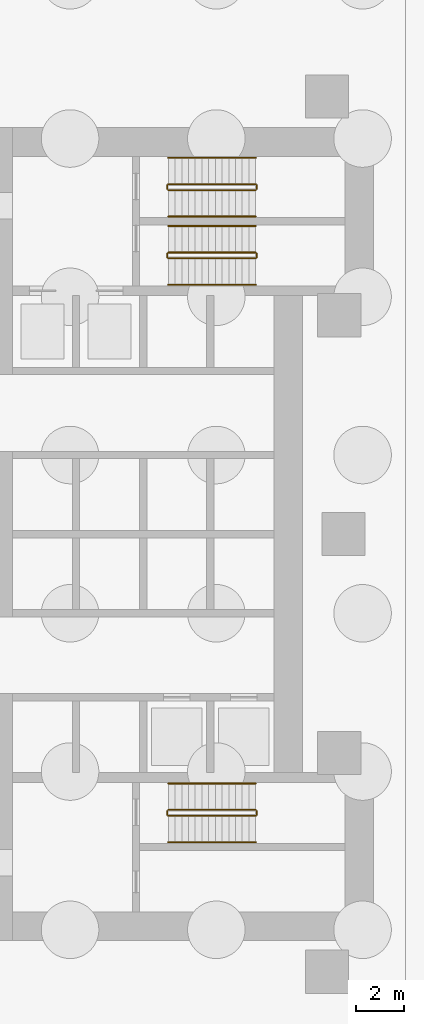
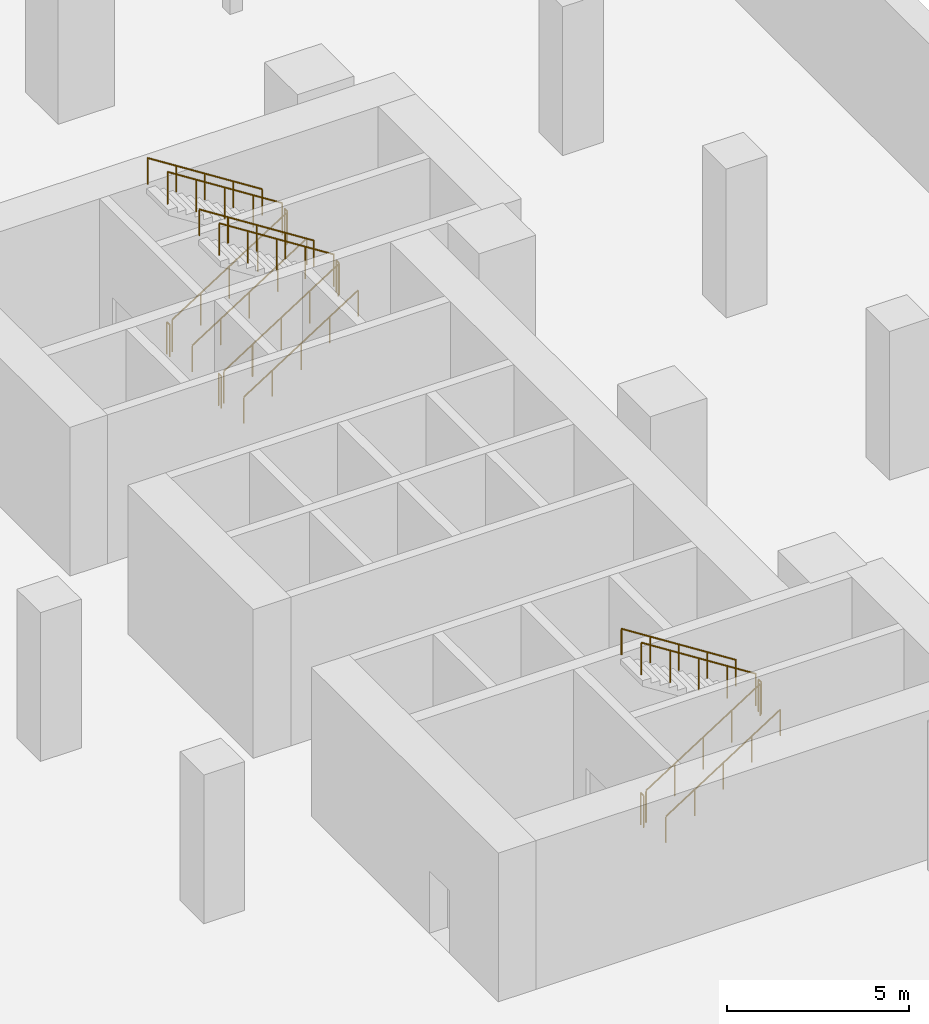
# One storey, part 10 of 11: 18 railings.
"""IFC4 building model written with IfcOpenShell, lengths in metres."""

from ifc_helpers import new_model, si_unit, direction, frame, origin, origin_2d, place, context, subcontext, project, spatial, circle, extrude, material, type_object, element, save


model = new_model("IFC4")

# Units and contexts
model_context = context("Model", 3, precision=1e-05, world=origin(), true_north=direction((0.0, 1.0)))
body_context = subcontext(model_context, "Body", "Model", "MODEL_VIEW")
ifc_project = project(units=[si_unit("LENGTHUNIT", "METRE"), si_unit("AREAUNIT", "SQUARE_METRE"), si_unit("VOLUMEUNIT", "CUBIC_METRE"), si_unit("PLANEANGLEUNIT", "RADIAN"), si_unit("MASSUNIT", "GRAM", prefix="KILO")], contexts=[model_context])

# Site, building, storey
site_placement = place(None, origin())
site = spatial("IfcSite", under=ifc_project, at=site_placement, CompositionType="ELEMENT")
building_placement = place(site_placement, origin())
building = spatial("IfcBuilding", under=site, at=building_placement, Name="Ostrand Prow Hotel Tower", CompositionType="ELEMENT")
storey_placement = place(building_placement, frame((0.0, 0.0, -10.0)))
storey = spatial("IfcBuildingStorey", under=building, at=storey_placement, Name="B2", CompositionType="ELEMENT", Elevation=-10.0)

# Railings
ifc_material_1 = material(Name="Painted steel", Category="steel")
railing_type_1 = type_object("IfcRailingType", Name="Stair guard 1100", PredefinedType="GUARDRAIL", material=ifc_material_1)
railing_1_placement = place(storey_placement, frame((57.199951171875, 11.5, 0.178466796875)))
element("IfcRailing", 1, at=railing_1_placement, inside=storey, type_object=railing_type_1, Name="B2 ST1A stair guard 1", PredefinedType="GUARDRAIL", context=body_context, shape_type="SweptSolid", body=[
    extrude(circle(Radius=0.02392578125, at=origin_2d()), frame((0.0, 0.0, 1.076171875), z_axis=(0.843127859045, 0.0, 0.537713132908), x_axis=(0.0, 1.0, 0.0)), (0.0, 0.0, 1.0), 4.3173828125),
    extrude(circle(Radius=0.02099609375, at=origin_2d()), origin(), (0.0, 0.0, 1.0), 1.052001953125),
    extrude(circle(Radius=0.02099609375, at=origin_2d()), frame((0.91015625, 0.0, 0.580322265625)), (0.0, 0.0, 1.0), 1.052001953125),
    extrude(circle(Radius=0.02099609375, at=origin_2d()), frame((1.820068359375, 0.0, 1.16064453125)), (0.0, 0.0, 1.0), 1.052001953125),
    extrude(circle(Radius=0.02099609375, at=origin_2d()), frame((2.72998046875, 0.0, 1.7412109375)), (0.0, 0.0, 1.0), 1.052001953125),
    extrude(circle(Radius=0.02099609375, at=origin_2d()), frame((3.64013671875, 0.0, 2.321533203125)), (0.0, 0.0, 1.0), 1.052001953125),
])
railing_2_placement = place(storey_placement, frame((60.889892578125, 11.550048828125, 2.5)))
element("IfcRailing", 2, at=railing_2_placement, inside=storey, type_object=railing_type_1, Name="B2 ST1A stair guard 2", PredefinedType="GUARDRAIL", context=body_context, shape_type="SweptSolid", body=[
    extrude(circle(Radius=0.02392578125, at=origin_2d()), frame((0.0, 0.0, 1.076171875), z_axis=(0.0, 1.0, 0.0), x_axis=(-1.0, 0.0, 0.0)), (0.0, 0.0, 1.0), 0.14990234375),
    extrude(circle(Radius=0.02099609375, at=origin_2d()), origin(), (0.0, 0.0, 1.0), 1.052001953125),
    extrude(circle(Radius=0.02099609375, at=origin_2d()), frame((0.0, 0.14990234375, 0.0)), (0.0, 0.0, 1.0), 1.052001953125),
])
railing_3_placement = place(storey_placement, frame((60.840087890625, 11.75, 2.678466796875)))
element("IfcRailing", 3, at=railing_3_placement, inside=storey, type_object=railing_type_1, Name="B2 ST1A stair guard 3", PredefinedType="GUARDRAIL", context=body_context, shape_type="SweptSolid", body=[
    extrude(circle(Radius=0.02392578125, at=origin_2d()), frame((0.0, 0.0, 1.076171875), z_axis=(-0.843127859045, 0.0, 0.537713132908), x_axis=(0.0, -1.0, 0.0)), (0.0, 0.0, 1.0), 4.3173828125),
    extrude(circle(Radius=0.02099609375, at=origin_2d()), origin(), (0.0, 0.0, 1.0), 1.052001953125),
    extrude(circle(Radius=0.02099609375, at=origin_2d()), frame((-0.91015625, 0.0, 0.580322265625)), (0.0, 0.0, 1.0), 1.052001953125),
    extrude(circle(Radius=0.02099609375, at=origin_2d()), frame((-1.820068359375, 0.0, 1.16064453125)), (0.0, 0.0, 1.0), 1.052001953125),
    extrude(circle(Radius=0.02099609375, at=origin_2d()), frame((-2.72998046875, 0.0, 1.7412109375)), (0.0, 0.0, 1.0), 1.052001953125),
    extrude(circle(Radius=0.02099609375, at=origin_2d()), frame((-3.64013671875, 0.0, 2.321533203125)), (0.0, 0.0, 1.0), 1.052001953125),
])
railing_4_placement = place(storey_placement, frame((57.14990234375, 11.550048828125, 0.0)))
element("IfcRailing", 4, at=railing_4_placement, inside=storey, type_object=railing_type_1, Name="B2 ST1A stair guard 4", PredefinedType="GUARDRAIL", context=body_context, shape_type="SweptSolid", body=[
    extrude(circle(Radius=0.02392578125, at=origin_2d()), frame((0.0, 0.0, 1.076171875), z_axis=(0.0, 1.0, 0.0), x_axis=(-1.0, 0.0, 0.0)), (0.0, 0.0, 1.0), 0.14990234375),
    extrude(circle(Radius=0.02099609375, at=origin_2d()), origin(), (0.0, 0.0, 1.0), 1.052001953125),
    extrude(circle(Radius=0.02099609375, at=origin_2d()), frame((0.0, 0.14990234375, 0.0)), (0.0, 0.0, 1.0), 1.052001953125),
])
railing_5_placement = place(storey_placement, frame((57.199951171875, 14.35009765625, 0.178466796875)))
element("IfcRailing", 5, at=railing_5_placement, inside=storey, type_object=railing_type_1, Name="B2 ST3A stair guard 1", PredefinedType="GUARDRAIL", context=body_context, shape_type="SweptSolid", body=[
    extrude(circle(Radius=0.02392578125, at=origin_2d()), frame((0.0, 0.0, 1.076171875), z_axis=(0.843127859045, 0.0, 0.537713132908), x_axis=(0.0, 1.0, 0.0)), (0.0, 0.0, 1.0), 4.3173828125),
    extrude(circle(Radius=0.02099609375, at=origin_2d()), origin(), (0.0, 0.0, 1.0), 1.052001953125),
    extrude(circle(Radius=0.02099609375, at=origin_2d()), frame((0.91015625, 0.0, 0.580322265625)), (0.0, 0.0, 1.0), 1.052001953125),
    extrude(circle(Radius=0.02099609375, at=origin_2d()), frame((1.820068359375, 0.0, 1.16064453125)), (0.0, 0.0, 1.0), 1.052001953125),
    extrude(circle(Radius=0.02099609375, at=origin_2d()), frame((2.72998046875, 0.0, 1.7412109375)), (0.0, 0.0, 1.0), 1.052001953125),
    extrude(circle(Radius=0.02099609375, at=origin_2d()), frame((3.64013671875, 0.0, 2.321533203125)), (0.0, 0.0, 1.0), 1.052001953125),
])
railing_6_placement = place(storey_placement, frame((60.889892578125, 14.39990234375, 2.5)))
element("IfcRailing", 6, at=railing_6_placement, inside=storey, type_object=railing_type_1, Name="B2 ST3A stair guard 2", PredefinedType="GUARDRAIL", context=body_context, shape_type="SweptSolid", body=[
    extrude(circle(Radius=0.02392578125, at=origin_2d()), frame((0.0, 0.0, 1.076171875), z_axis=(0.0, 1.0, 0.0), x_axis=(-1.0, 0.0, 0.0)), (0.0, 0.0, 1.0), 0.150146484375),
    extrude(circle(Radius=0.02099609375, at=origin_2d()), origin(), (0.0, 0.0, 1.0), 1.052001953125),
    extrude(circle(Radius=0.02099609375, at=origin_2d()), frame((0.0, 0.150146484375, 0.0)), (0.0, 0.0, 1.0), 1.052001953125),
])
railing_7_placement = place(storey_placement, frame((60.840087890625, 14.60009765625, 2.678466796875)))
element("IfcRailing", 7, at=railing_7_placement, inside=storey, type_object=railing_type_1, Name="B2 ST3A stair guard 3", PredefinedType="GUARDRAIL", context=body_context, shape_type="SweptSolid", body=[
    extrude(circle(Radius=0.02392578125, at=origin_2d()), frame((0.0, 0.0, 1.076171875), z_axis=(-0.843127859045, 0.0, 0.537713132908), x_axis=(0.0, -1.0, 0.0)), (0.0, 0.0, 1.0), 4.3173828125),
    extrude(circle(Radius=0.02099609375, at=origin_2d()), origin(), (0.0, 0.0, 1.0), 1.052001953125),
    extrude(circle(Radius=0.02099609375, at=origin_2d()), frame((-0.91015625, 0.0, 0.580322265625)), (0.0, 0.0, 1.0), 1.052001953125),
    extrude(circle(Radius=0.02099609375, at=origin_2d()), frame((-1.820068359375, 0.0, 1.16064453125)), (0.0, 0.0, 1.0), 1.052001953125),
    extrude(circle(Radius=0.02099609375, at=origin_2d()), frame((-2.72998046875, 0.0, 1.7412109375)), (0.0, 0.0, 1.0), 1.052001953125),
    extrude(circle(Radius=0.02099609375, at=origin_2d()), frame((-3.64013671875, 0.0, 2.321533203125)), (0.0, 0.0, 1.0), 1.052001953125),
])
railing_8_placement = place(storey_placement, frame((57.14990234375, 14.39990234375, 0.0)))
element("IfcRailing", 8, at=railing_8_placement, inside=storey, type_object=railing_type_1, Name="B2 ST3A stair guard 4", PredefinedType="GUARDRAIL", context=body_context, shape_type="SweptSolid", body=[
    extrude(circle(Radius=0.02392578125, at=origin_2d()), frame((0.0, 0.0, 1.076171875), z_axis=(0.0, 1.0, 0.0), x_axis=(-1.0, 0.0, 0.0)), (0.0, 0.0, 1.0), 0.150146484375),
    extrude(circle(Radius=0.02099609375, at=origin_2d()), origin(), (0.0, 0.0, 1.0), 1.052001953125),
    extrude(circle(Radius=0.02099609375, at=origin_2d()), frame((0.0, 0.150146484375, 0.0)), (0.0, 0.0, 1.0), 1.052001953125),
])
railing_9_placement = place(storey_placement, frame((57.199951171875, -11.75, 0.178466796875)))
element("IfcRailing", 9, at=railing_9_placement, inside=storey, type_object=railing_type_1, Name="B2 ST2A stair guard 1", PredefinedType="GUARDRAIL", context=body_context, shape_type="SweptSolid", body=[
    extrude(circle(Radius=0.02392578125, at=origin_2d()), frame((0.0, 0.0, 1.076171875), z_axis=(0.843127859045, 0.0, 0.537713132908), x_axis=(0.0, 1.0, 0.0)), (0.0, 0.0, 1.0), 4.3173828125),
    extrude(circle(Radius=0.02099609375, at=origin_2d()), origin(), (0.0, 0.0, 1.0), 1.052001953125),
    extrude(circle(Radius=0.02099609375, at=origin_2d()), frame((0.91015625, 0.0, 0.580322265625)), (0.0, 0.0, 1.0), 1.052001953125),
    extrude(circle(Radius=0.02099609375, at=origin_2d()), frame((1.820068359375, 0.0, 1.16064453125)), (0.0, 0.0, 1.0), 1.052001953125),
    extrude(circle(Radius=0.02099609375, at=origin_2d()), frame((2.72998046875, 0.0, 1.7412109375)), (0.0, 0.0, 1.0), 1.052001953125),
    extrude(circle(Radius=0.02099609375, at=origin_2d()), frame((3.64013671875, 0.0, 2.321533203125)), (0.0, 0.0, 1.0), 1.052001953125),
])
railing_10_placement = place(storey_placement, frame((60.889892578125, -11.699951171875, 2.5)))
element("IfcRailing", 10, at=railing_10_placement, inside=storey, type_object=railing_type_1, Name="B2 ST2A stair guard 2", PredefinedType="GUARDRAIL", context=body_context, shape_type="SweptSolid", body=[
    extrude(circle(Radius=0.02392578125, at=origin_2d()), frame((0.0, 0.0, 1.076171875), z_axis=(0.0, 1.0, 0.0), x_axis=(-1.0, 0.0, 0.0)), (0.0, 0.0, 1.0), 0.14990234375),
    extrude(circle(Radius=0.02099609375, at=origin_2d()), origin(), (0.0, 0.0, 1.0), 1.052001953125),
    extrude(circle(Radius=0.02099609375, at=origin_2d()), frame((0.0, 0.14990234375, 0.0)), (0.0, 0.0, 1.0), 1.052001953125),
])
railing_11_placement = place(storey_placement, frame((60.840087890625, -11.5, 2.678466796875)))
element("IfcRailing", 11, at=railing_11_placement, inside=storey, type_object=railing_type_1, Name="B2 ST2A stair guard 3", PredefinedType="GUARDRAIL", context=body_context, shape_type="SweptSolid", body=[
    extrude(circle(Radius=0.02392578125, at=origin_2d()), frame((0.0, 0.0, 1.076171875), z_axis=(-0.843127859045, 0.0, 0.537713132908), x_axis=(0.0, -1.0, 0.0)), (0.0, 0.0, 1.0), 4.3173828125),
    extrude(circle(Radius=0.02099609375, at=origin_2d()), origin(), (0.0, 0.0, 1.0), 1.052001953125),
    extrude(circle(Radius=0.02099609375, at=origin_2d()), frame((-0.91015625, 0.0, 0.580322265625)), (0.0, 0.0, 1.0), 1.052001953125),
    extrude(circle(Radius=0.02099609375, at=origin_2d()), frame((-1.820068359375, 0.0, 1.16064453125)), (0.0, 0.0, 1.0), 1.052001953125),
    extrude(circle(Radius=0.02099609375, at=origin_2d()), frame((-2.72998046875, 0.0, 1.7412109375)), (0.0, 0.0, 1.0), 1.052001953125),
    extrude(circle(Radius=0.02099609375, at=origin_2d()), frame((-3.64013671875, 0.0, 2.321533203125)), (0.0, 0.0, 1.0), 1.052001953125),
])
railing_12_placement = place(storey_placement, frame((57.14990234375, -11.699951171875, 0.0)))
element("IfcRailing", 12, at=railing_12_placement, inside=storey, type_object=railing_type_1, Name="B2 ST2A stair guard 4", PredefinedType="GUARDRAIL", context=body_context, shape_type="SweptSolid", body=[
    extrude(circle(Radius=0.02392578125, at=origin_2d()), frame((0.0, 0.0, 1.076171875), z_axis=(0.0, 1.0, 0.0), x_axis=(-1.0, 0.0, 0.0)), (0.0, 0.0, 1.0), 0.14990234375),
    extrude(circle(Radius=0.02099609375, at=origin_2d()), origin(), (0.0, 0.0, 1.0), 1.052001953125),
    extrude(circle(Radius=0.02099609375, at=origin_2d()), frame((0.0, 0.14990234375, 0.0)), (0.0, 0.0, 1.0), 1.052001953125),
])
ifc_material_2 = material(Name="Stainless steel", Category="steel")
railing_type_2 = type_object("IfcRailingType", Name="Stair handrail 900", PredefinedType="HANDRAIL", material=ifc_material_2)
railing_13_placement = place(storey_placement, frame((57.199951171875, 10.39990234375, 0.178466796875)))
element("IfcRailing", 13, at=railing_13_placement, inside=storey, type_object=railing_type_2, Name="B2 ST1A stair handrail 1", PredefinedType="HANDRAIL", context=body_context, shape_type="SweptSolid", body=[
    extrude(circle(Radius=0.02392578125, at=origin_2d()), frame((0.0, 0.0, 0.8759765625), z_axis=(0.843127859045, 0.0, 0.537713132908), x_axis=(0.0, 1.0, 0.0)), (0.0, 0.0, 1.0), 4.3173828125),
    extrude(circle(Radius=0.02099609375, at=origin_2d()), origin(), (0.0, 0.0, 1.0), 0.851806640625),
    extrude(circle(Radius=0.02099609375, at=origin_2d()), frame((0.91015625, 0.0, 0.580322265625)), (0.0, 0.0, 1.0), 0.851806640625),
    extrude(circle(Radius=0.02099609375, at=origin_2d()), frame((1.820068359375, 0.0, 1.16064453125)), (0.0, 0.0, 1.0), 0.851806640625),
    extrude(circle(Radius=0.02099609375, at=origin_2d()), frame((2.72998046875, 0.0, 1.7412109375)), (0.0, 0.0, 1.0), 0.851806640625),
    extrude(circle(Radius=0.02099609375, at=origin_2d()), frame((3.64013671875, 0.0, 2.321533203125)), (0.0, 0.0, 1.0), 0.851806640625),
])
railing_14_placement = place(storey_placement, frame((60.840087890625, 12.85009765625, 2.678466796875)))
element("IfcRailing", 14, at=railing_14_placement, inside=storey, type_object=railing_type_2, Name="B2 ST1A stair handrail 2", PredefinedType="HANDRAIL", context=body_context, shape_type="SweptSolid", body=[
    extrude(circle(Radius=0.02392578125, at=origin_2d()), frame((0.0, 0.0, 0.8759765625), z_axis=(-0.843127859045, 0.0, 0.537713132908), x_axis=(0.0, -1.0, 0.0)), (0.0, 0.0, 1.0), 4.3173828125),
    extrude(circle(Radius=0.02099609375, at=origin_2d()), origin(), (0.0, 0.0, 1.0), 0.851806640625),
    extrude(circle(Radius=0.02099609375, at=origin_2d()), frame((-0.91015625, 0.0, 0.580322265625)), (0.0, 0.0, 1.0), 0.851806640625),
    extrude(circle(Radius=0.02099609375, at=origin_2d()), frame((-1.820068359375, 0.0, 1.16064453125)), (0.0, 0.0, 1.0), 0.851806640625),
    extrude(circle(Radius=0.02099609375, at=origin_2d()), frame((-2.72998046875, 0.0, 1.7412109375)), (0.0, 0.0, 1.0), 0.851806640625),
    extrude(circle(Radius=0.02099609375, at=origin_2d()), frame((-3.64013671875, 0.0, 2.321533203125)), (0.0, 0.0, 1.0), 0.851806640625),
])
railing_15_placement = place(storey_placement, frame((57.199951171875, 13.25, 0.178466796875)))
element("IfcRailing", 15, at=railing_15_placement, inside=storey, type_object=railing_type_2, Name="B2 ST3A stair handrail 1", PredefinedType="HANDRAIL", context=body_context, shape_type="SweptSolid", body=[
    extrude(circle(Radius=0.02392578125, at=origin_2d()), frame((0.0, 0.0, 0.8759765625), z_axis=(0.843127859045, 0.0, 0.537713132908), x_axis=(0.0, 1.0, 0.0)), (0.0, 0.0, 1.0), 4.3173828125),
    extrude(circle(Radius=0.02099609375, at=origin_2d()), origin(), (0.0, 0.0, 1.0), 0.851806640625),
    extrude(circle(Radius=0.02099609375, at=origin_2d()), frame((0.91015625, 0.0, 0.580322265625)), (0.0, 0.0, 1.0), 0.851806640625),
    extrude(circle(Radius=0.02099609375, at=origin_2d()), frame((1.820068359375, 0.0, 1.16064453125)), (0.0, 0.0, 1.0), 0.851806640625),
    extrude(circle(Radius=0.02099609375, at=origin_2d()), frame((2.72998046875, 0.0, 1.7412109375)), (0.0, 0.0, 1.0), 0.851806640625),
    extrude(circle(Radius=0.02099609375, at=origin_2d()), frame((3.64013671875, 0.0, 2.321533203125)), (0.0, 0.0, 1.0), 0.851806640625),
])
railing_16_placement = place(storey_placement, frame((60.840087890625, 15.699951171875, 2.678466796875)))
element("IfcRailing", 16, at=railing_16_placement, inside=storey, type_object=railing_type_2, Name="B2 ST3A stair handrail 2", PredefinedType="HANDRAIL", context=body_context, shape_type="SweptSolid", body=[
    extrude(circle(Radius=0.02392578125, at=origin_2d()), frame((0.0, 0.0, 0.8759765625), z_axis=(-0.843127859045, 0.0, 0.537713132908), x_axis=(0.0, -1.0, 0.0)), (0.0, 0.0, 1.0), 4.3173828125),
    extrude(circle(Radius=0.02099609375, at=origin_2d()), origin(), (0.0, 0.0, 1.0), 0.851806640625),
    extrude(circle(Radius=0.02099609375, at=origin_2d()), frame((-0.91015625, 0.0, 0.580322265625)), (0.0, 0.0, 1.0), 0.851806640625),
    extrude(circle(Radius=0.02099609375, at=origin_2d()), frame((-1.820068359375, 0.0, 1.16064453125)), (0.0, 0.0, 1.0), 0.851806640625),
    extrude(circle(Radius=0.02099609375, at=origin_2d()), frame((-2.72998046875, 0.0, 1.7412109375)), (0.0, 0.0, 1.0), 0.851806640625),
    extrude(circle(Radius=0.02099609375, at=origin_2d()), frame((-3.64013671875, 0.0, 2.321533203125)), (0.0, 0.0, 1.0), 0.851806640625),
])
railing_17_placement = place(storey_placement, frame((57.199951171875, -12.85009765625, 0.178466796875)))
element("IfcRailing", 17, at=railing_17_placement, inside=storey, type_object=railing_type_2, Name="B2 ST2A stair handrail 1", PredefinedType="HANDRAIL", context=body_context, shape_type="SweptSolid", body=[
    extrude(circle(Radius=0.02392578125, at=origin_2d()), frame((0.0, 0.0, 0.8759765625), z_axis=(0.843127859045, 0.0, 0.537713132908), x_axis=(0.0, 1.0, 0.0)), (0.0, 0.0, 1.0), 4.3173828125),
    extrude(circle(Radius=0.02099609375, at=origin_2d()), origin(), (0.0, 0.0, 1.0), 0.851806640625),
    extrude(circle(Radius=0.02099609375, at=origin_2d()), frame((0.91015625, 0.0, 0.580322265625)), (0.0, 0.0, 1.0), 0.851806640625),
    extrude(circle(Radius=0.02099609375, at=origin_2d()), frame((1.820068359375, 0.0, 1.16064453125)), (0.0, 0.0, 1.0), 0.851806640625),
    extrude(circle(Radius=0.02099609375, at=origin_2d()), frame((2.72998046875, 0.0, 1.7412109375)), (0.0, 0.0, 1.0), 0.851806640625),
    extrude(circle(Radius=0.02099609375, at=origin_2d()), frame((3.64013671875, 0.0, 2.321533203125)), (0.0, 0.0, 1.0), 0.851806640625),
])
railing_18_placement = place(storey_placement, frame((60.840087890625, -10.39990234375, 2.678466796875)))
element("IfcRailing", 18, at=railing_18_placement, inside=storey, type_object=railing_type_2, Name="B2 ST2A stair handrail 2", PredefinedType="HANDRAIL", context=body_context, shape_type="SweptSolid", body=[
    extrude(circle(Radius=0.02392578125, at=origin_2d()), frame((0.0, 0.0, 0.8759765625), z_axis=(-0.843127859045, 0.0, 0.537713132908), x_axis=(0.0, -1.0, 0.0)), (0.0, 0.0, 1.0), 4.3173828125),
    extrude(circle(Radius=0.02099609375, at=origin_2d()), origin(), (0.0, 0.0, 1.0), 0.851806640625),
    extrude(circle(Radius=0.02099609375, at=origin_2d()), frame((-0.91015625, 0.0, 0.580322265625)), (0.0, 0.0, 1.0), 0.851806640625),
    extrude(circle(Radius=0.02099609375, at=origin_2d()), frame((-1.820068359375, 0.0, 1.16064453125)), (0.0, 0.0, 1.0), 0.851806640625),
    extrude(circle(Radius=0.02099609375, at=origin_2d()), frame((-2.72998046875, 0.0, 1.7412109375)), (0.0, 0.0, 1.0), 0.851806640625),
    extrude(circle(Radius=0.02099609375, at=origin_2d()), frame((-3.64013671875, 0.0, 2.321533203125)), (0.0, 0.0, 1.0), 0.851806640625),
])

save(model, "model.ifc")
